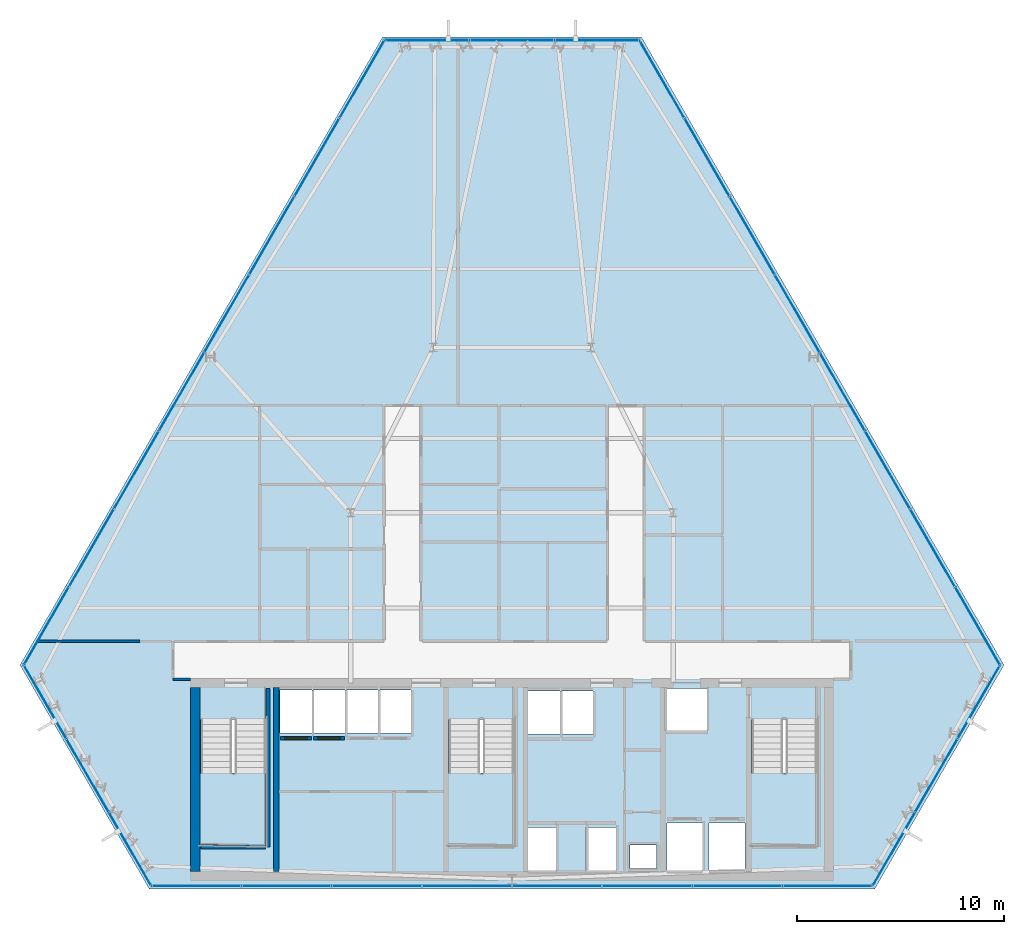
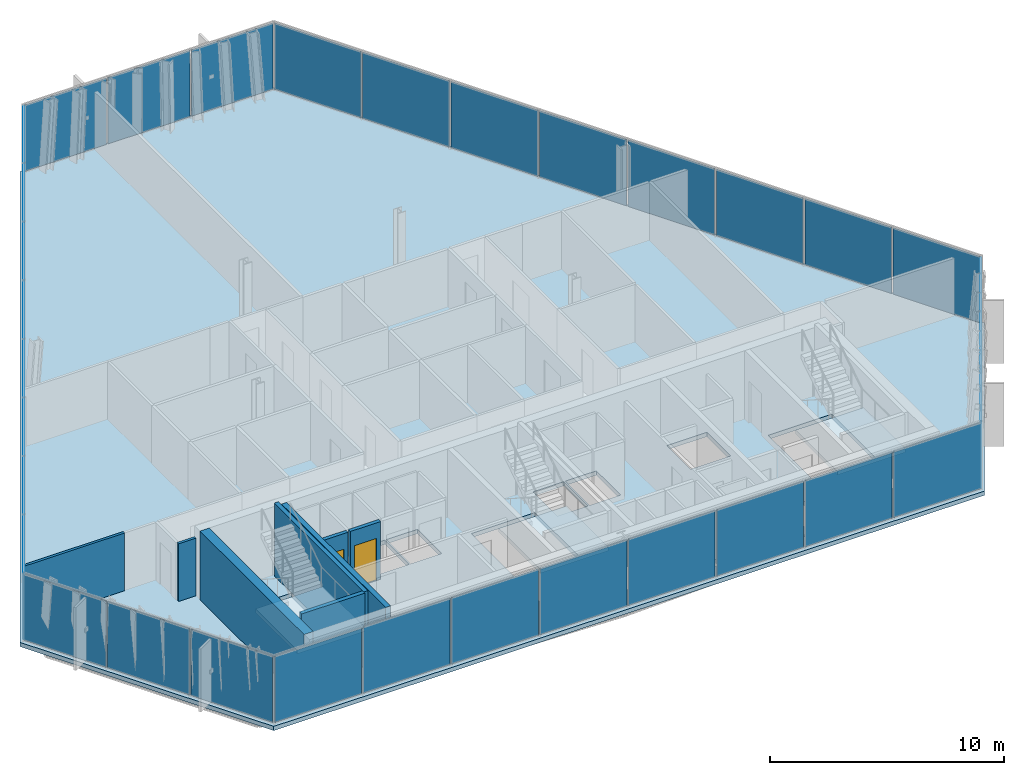
# One storey, part 24 of 32: 33 plates, 8 walls, 4 slabs, 2 doors, 2 openings, 9 elements without a shape of their own.
"""IFC4 building model written with IfcOpenShell, lengths in metres."""

import ifcopenshell
import ifcopenshell.guid

model = None  # the IFC model being written
_history = None  # IfcOwnerHistory: only IFC2X3 demands one
_inside = {}  # id of a spatial element -> (the spatial element, [elements in it])
_under = {}  # id of a project, library or spatial element -> (it, [spatial elements below it])
_declared = {}  # id of a project -> (the project, [libraries it declares])
_typed = {}  # id of a type object -> (the type object, [elements of that type])
_made_of = {}  # id of a material, layer set ... -> (it, [elements and type objects made of it])


def new_model(schema):
    """Start an empty IFC model of exactly this schema.

    Asked for "IFC4X3", IfcOpenShell would pick the latest addendum, in which some entities
    have other attributes; the version numbers below select the first issue.
    IFC2X3 requires an IfcOwnerHistory on every rooted entity: one is made here for all.
    """
    global model, _history
    if schema == "IFC4X3":
        model = ifcopenshell.file(schema_version=(4, 3, 0, 0))
    else:
        model = ifcopenshell.file(schema=schema)
    _inside.clear()
    _under.clear()
    _declared.clear()
    _typed.clear()
    _made_of.clear()
    _history = None
    if model.schema == "IFC2X3":
        org = make("IfcOrganization", Name="unknown")
        user = make(
            "IfcPersonAndOrganization",
            ThePerson=make("IfcPerson", FamilyName="unknown"),
            TheOrganization=org,
        )
        app = make(
            "IfcApplication",
            ApplicationDeveloper=org,
            Version="unknown",
            ApplicationFullName="unknown",
            ApplicationIdentifier="unknown",
        )
        _history = make(
            "IfcOwnerHistory",
            OwningUser=user,
            OwningApplication=app,
            ChangeAction="ADDED",
            CreationDate=0,
        )
    return model


def make(cls, **values):
    """One entity of the class cls with the attributes given. An attribute that is None is left unset."""
    return model.create_entity(
        cls, **{name: value for name, value in values.items() if value is not None}
    )


def rooted(cls, **values):
    """An entity with a GlobalId (a new one), such as an element, a storey or a relation."""
    return make(cls, GlobalId=ifcopenshell.guid.new(), OwnerHistory=_history, **values)


def si_unit(unit_type, name, prefix=None):
    """IfcSIUnit, for example si_unit("LENGTHUNIT", "METRE", prefix="MILLI")."""
    return make("IfcSIUnit", UnitType=unit_type, Prefix=prefix, Name=name)


def assignment(units):
    """IfcUnitAssignment: the units of a project."""
    return None if units is None else make("IfcUnitAssignment", Units=units)


def point(xyz):
    """IfcCartesianPoint."""
    return None if xyz is None else make("IfcCartesianPoint", Coordinates=xyz)


def direction(xyz):
    """IfcDirection."""
    return None if xyz is None else make("IfcDirection", DirectionRatios=xyz)


def frame(location, z_axis=None, x_axis=None):
    """IfcAxis2Placement3D, a coordinate frame: its origin and axes. An axis left out is left unset."""
    return make(
        "IfcAxis2Placement3D",
        Location=point(location),
        Axis=direction(z_axis),
        RefDirection=direction(x_axis),
    )


def frame_2d(location, x_axis=None):
    """IfcAxis2Placement2D, a coordinate frame in the plane: its origin and x axis."""
    return make(
        "IfcAxis2Placement2D", Location=point(location), RefDirection=direction(x_axis)
    )


def origin():
    """The frame at (0, 0, 0) with its axes left unset."""
    return frame((0.0, 0.0, 0.0))


def origin_2d():
    """The frame at (0, 0) in the plane with its x axis left unset."""
    return frame_2d((0.0, 0.0))


def place(relative_to, where):
    """IfcLocalPlacement: puts the frame where relative to a parent placement (None: the world)."""
    return make(
        "IfcLocalPlacement", PlacementRelTo=relative_to, RelativePlacement=where
    )


def context(
    kind, dimensions, precision=None, world=None, true_north=None, identifier=None
):
    """IfcGeometricRepresentationContext, for example the 3D "Model" context."""
    return make(
        "IfcGeometricRepresentationContext",
        ContextIdentifier=identifier,
        ContextType=kind,
        CoordinateSpaceDimension=dimensions,
        Precision=precision,
        WorldCoordinateSystem=world,
        TrueNorth=true_north,
    )


def subcontext(parent, identifier, kind, view, scale=None):
    """IfcGeometricRepresentationSubContext, for example "Body" below "Model"."""
    return make(
        "IfcGeometricRepresentationSubContext",
        ContextIdentifier=identifier,
        ContextType=kind,
        ParentContext=parent,
        TargetScale=scale,
        TargetView=view,
    )


def project(units=None, contexts=None):
    """IfcProject with its units and contexts."""
    return rooted(
        "IfcProject",
        Name="project",
        RepresentationContexts=contexts,
        UnitsInContext=assignment(units),
    )


def spatial(cls, under=None, at=None, **own):
    """A site, building, storey or space (cls), placed at a placement, below another one or the project."""
    s = rooted(cls, ObjectPlacement=at, **own)
    if under is not None:
        _under.setdefault(under.id(), (under, []))[1].append(s)
    return s


def polyline(points):
    """IfcPolyline through the points."""
    return make("IfcPolyline", Points=[point(p) for p in points])


def profile(cls, at=None, kind="AREA", **sizes):
    """A parametric profile (cls). Its sizes go by their IFC names, for example OverallWidth=200.0."""
    return make(cls, ProfileType=kind, Position=at, **sizes)


def rectangle(**sizes):
    """IfcRectangleProfileDef."""
    return profile("IfcRectangleProfileDef", **sizes)


def outline(outer, holes=None, kind="AREA"):
    """IfcArbitraryClosedProfileDef: a profile drawn as a closed curve; with holes, ...WithVoids."""
    if holes is None:
        return make("IfcArbitraryClosedProfileDef", ProfileType=kind, OuterCurve=outer)
    return make(
        "IfcArbitraryProfileDefWithVoids",
        ProfileType=kind,
        OuterCurve=outer,
        InnerCurves=holes,
    )


def extrude(swept, where, along, depth):
    """IfcExtrudedAreaSolid: the profile swept, set in the frame where, extruded along a direction by depth."""
    return make(
        "IfcExtrudedAreaSolid",
        SweptArea=swept,
        Position=where,
        ExtrudedDirection=direction(along),
        Depth=depth,
    )


def shape(context_of_items, identifier, shape_type, items):
    """IfcShapeRepresentation: the items that make up one representation, for example the "Body"."""
    return make(
        "IfcShapeRepresentation",
        ContextOfItems=context_of_items,
        RepresentationIdentifier=identifier,
        RepresentationType=shape_type,
        Items=items,
    )


def material(Name=None, Category=None):
    """IfcMaterial."""
    return make("IfcMaterial", Name=Name, Category=Category)


def layer(
    of_material, thickness, ventilated=None, Name=None, Category=None, Priority=None
):
    """IfcMaterialLayer: one layer of a wall or slab, of a material (None: an air gap)."""
    return make(
        "IfcMaterialLayer",
        Material=of_material,
        LayerThickness=thickness,
        IsVentilated=ventilated,
        Name=Name,
        Category=Category,
        Priority=Priority,
    )


def layer_set(layers, Name=None):
    """IfcMaterialLayerSet."""
    return make("IfcMaterialLayerSet", MaterialLayers=layers, LayerSetName=Name)


def made_of(thing, what):
    """Note that an element or type object is made of a material, layer set ...; save() writes the relation."""
    if what is not None:
        _made_of.setdefault(what.id(), (what, []))[1].append(thing)
    return thing


def type_object(cls, material=None, **own):
    """A type object (cls), such as IfcWallType, which elements share."""
    return made_of(rooted(cls, **own), material)


def element(
    cls,
    number,
    at=None,
    inside=None,
    cuts=None,
    type_object=None,
    material=None,
    context=None,
    identifier="Body",
    shape_type=None,
    held_by="IfcProductDefinitionShape",
    body=None,
    shapes=None,
    **own,
):
    """One element of the class cls, such as IfcWall. Its Tag is "e" and its number.

    at: its placement. inside: the storey or other place that contains it. cuts: it is an
    opening in that element (IfcRelVoidsElement). A single representation is given by context,
    identifier, shape_type and body (its items); several are given by shapes. held_by: the class
    of the entity that holds the representations. save() writes the other relations.
    """
    e = rooted(cls, Tag="e%d" % number, ObjectPlacement=at, **own)
    if body is not None:
        shapes = [shape(context, identifier, shape_type, body)]
    if shapes is not None:
        e.Representation = make(held_by, Representations=shapes)
    if inside is not None:
        _inside.setdefault(inside.id(), (inside, []))[1].append(e)
    if cuts is not None:
        rooted(
            "IfcRelVoidsElement", RelatingBuildingElement=cuts, RelatedOpeningElement=e
        )
    if type_object is not None:
        _typed.setdefault(type_object.id(), (type_object, []))[1].append(e)
    return made_of(e, material)


def fill(opening, filler):
    """IfcRelFillsElement: the door or window that sits in an opening."""
    return rooted(
        "IfcRelFillsElement",
        RelatingOpeningElement=opening,
        RelatedBuildingElement=filler,
    )


def aggregate(whole, parts):
    """IfcRelAggregates: a whole, such as a stair, and the parts it consists of."""
    return rooted("IfcRelAggregates", RelatingObject=whole, RelatedObjects=parts)


def save(model, path):
    """Write the relations noted so far, then the file.

    IfcRelAggregates (storeys below a building ...), IfcRelContainedInSpatialStructure (elements
    in a storey), IfcRelDefinesByType, IfcRelAssociatesMaterial and IfcRelDeclares: one each for
    every whole, place, type object, material and project.
    """
    for whole, parts in _under.values():
        aggregate(whole, parts)
    for where, things in _inside.values():
        rooted(
            "IfcRelContainedInSpatialStructure",
            RelatedElements=things,
            RelatingStructure=where,
        )
    for kind, things in _typed.values():
        rooted("IfcRelDefinesByType", RelatedObjects=things, RelatingType=kind)
    for what, things in _made_of.values():
        rooted("IfcRelAssociatesMaterial", RelatedObjects=things, RelatingMaterial=what)
    for by, libraries in _declared.values():
        rooted("IfcRelDeclares", RelatingContext=by, RelatedDefinitions=libraries)
    model.write(path)


model = new_model("IFC4")

# Units and contexts
model_context = context("Model", 3, precision=1e-05, world=origin(), true_north=direction((0.0, 1.0)))
body_context = subcontext(model_context, "Body", "Model", "MODEL_VIEW")
ifc_project = project(units=[si_unit("LENGTHUNIT", "METRE"), si_unit("AREAUNIT", "SQUARE_METRE"), si_unit("VOLUMEUNIT", "CUBIC_METRE"), si_unit("PLANEANGLEUNIT", "RADIAN"), si_unit("MASSUNIT", "GRAM", prefix="KILO")], contexts=[model_context])

# Site, building, storey
site_placement = place(None, origin())
site = spatial("IfcSite", under=ifc_project, at=site_placement, CompositionType="ELEMENT")
building_placement = place(site_placement, origin())
building = spatial("IfcBuilding", under=site, at=building_placement, Name="Ndaravel Arena Tower", CompositionType="ELEMENT")
storey_placement = place(building_placement, frame((0.0, 0.0, 134.60009765625)))
storey = spatial("IfcBuildingStorey", under=building, at=storey_placement, Name="L31", CompositionType="ELEMENT", Elevation=134.60009765625)

# Curtain wall, plate
ifc_material_1 = material(Name="Aluminium", Category="aluminium")
ifc_layer_1 = layer(ifc_material_1, 0.179931640625)
ifc_layer_set_1 = layer_set([ifc_layer_1], Name="Aluminium")
curtain_wall_type_1 = type_object("IfcCurtainWallType", Name="CW-SYS-01", PredefinedType="NOTDEFINED", material=ifc_layer_set_1)
curtain_wall_1_placement = place(storey_placement, origin())
curtain_wall_1 = element("IfcCurtainWall", 1, at=curtain_wall_1_placement, inside=storey, type_object=curtain_wall_type_1, Name="L31 Faceted Crystal Curtain Wall CW-L31-E02", PredefinedType="NOTDEFINED")
ifc_material_2 = material(Name="Glazing", Category="glass")
ifc_layer_2 = layer(ifc_material_2, 0.035888671875)
ifc_layer_set_2 = layer_set([ifc_layer_2], Name="Glazing")
plate_type_1 = type_object("IfcPlateType", Name="PLT-CW-OPVENT", PredefinedType="CURTAIN_PANEL", material=ifc_layer_set_2)
plate_1_placement = place(storey_placement, frame((62.528076171875, 10.50048828125, 0.059814453125), z_axis=(0.0, 0.0, 1.0), x_axis=(0.5, 0.866025403784, 0.0)))
plate_1 = element("IfcPlate", 2, at=plate_1_placement, type_object=plate_type_1, Name="CW-L31-E02 Operable Vent Sash Panel 02", PredefinedType="CURTAIN_PANEL", context=body_context, shape_type="SweptSolid", body=[
    extrude(rectangle(XDim=4.03125, YDim=0.035888671875, at=origin_2d()), origin(), (0.0, 0.0, 1.0), 3.4599609375),
])

curtain_wall_2_placement = place(storey_placement, origin())
curtain_wall_2 = element("IfcCurtainWall", 3, at=curtain_wall_2_placement, inside=storey, type_object=curtain_wall_type_1, Name="L31 Faceted Crystal Curtain Wall CW-L31-E04", PredefinedType="NOTDEFINED")
plate_2_placement = place(storey_placement, frame((42.0, 46.05615234375, 0.059814453125), z_axis=(0.0, 0.0, 1.0), x_axis=(-1.0, 0.0, 0.0)))
plate_2 = element("IfcPlate", 4, at=plate_2_placement, type_object=plate_type_1, Name="CW-L31-E04 Operable Vent Sash Panel 02", PredefinedType="CURTAIN_PANEL", context=body_context, shape_type="SweptSolid", body=[
    extrude(rectangle(XDim=4.031005859375, YDim=0.035888671875, at=origin_2d()), origin(), (0.0, 0.0, 1.0), 3.4599609375),
])

ifc_material_3 = material(Name="Aluminium", Category="aluminium")
ifc_layer_3 = layer(ifc_material_3, 0.179931640625)
ifc_layer_set_3 = layer_set([ifc_layer_3], Name="Aluminium")
curtain_wall_type_2 = type_object("IfcCurtainWallType", Name="CW-SYS-02", PredefinedType="NOTDEFINED", material=ifc_layer_set_3)
curtain_wall_3_placement = place(storey_placement, origin())
curtain_wall_3 = element("IfcCurtainWall", 5, at=curtain_wall_3_placement, inside=storey, type_object=curtain_wall_type_2, Name="L31 Faceted Crystal Curtain Wall CW-L31-E06", PredefinedType="NOTDEFINED")
plate_3_placement = place(storey_placement, frame((21.471923828125, 10.50048828125, 0.059814453125), z_axis=(0.0, 0.0, 1.0), x_axis=(0.5, -0.866025403784, 0.0)))
plate_3 = element("IfcPlate", 6, at=plate_3_placement, type_object=plate_type_1, Name="CW-L31-E06 Operable Vent Sash Panel 02", PredefinedType="CURTAIN_PANEL", context=body_context, shape_type="SweptSolid", body=[
    extrude(rectangle(XDim=4.03125, YDim=0.035888671875, at=origin_2d()), origin(), (0.0, 0.0, 1.0), 3.4599609375),
])

# Plate
ifc_material_4 = material(Name="Glazing", Category="glass")
ifc_layer_4 = layer(ifc_material_4, 0.031982421875)
ifc_layer_set_4 = layer_set([ifc_layer_4], Name="Glazing")
plate_type_2 = type_object("IfcPlateType", Name="PLT-GLZ-FRIT35", PredefinedType="CURTAIN_PANEL", material=ifc_layer_set_4)
plate_4_placement = place(storey_placement, frame((60.472412109375, 6.940185546875, 0.059814453125), z_axis=(0.0, 0.0, 1.0), x_axis=(0.5, 0.866025403784, 0.0)))
plate_4 = element("IfcPlate", 7, at=plate_4_placement, type_object=plate_type_2, Name="CW-L31-E02 Vision Glass Panel 01", PredefinedType="CURTAIN_PANEL", context=body_context, shape_type="SweptSolid", body=[
    extrude(rectangle(XDim=4.03125, YDim=0.035888671875, at=origin_2d()), origin(), (0.0, 0.0, 1.0), 3.4599609375),
])

plate_5_placement = place(storey_placement, frame((64.58349609375, 14.060791015625, 0.059814453125), z_axis=(0.0, 0.0, 1.0), x_axis=(0.5, 0.866025403784, 0.0)))
plate_5 = element("IfcPlate", 8, at=plate_5_placement, type_object=plate_type_2, Name="CW-L31-E02 Vision Glass Panel 03", PredefinedType="CURTAIN_PANEL", context=body_context, shape_type="SweptSolid", body=[
    extrude(rectangle(XDim=4.03125, YDim=0.035888671875, at=origin_2d()), origin(), (0.0, 0.0, 1.0), 3.4599609375),
])

aggregate(curtain_wall_1, [plate_4, plate_1, plate_5])

plate_6_placement = place(storey_placement, frame((46.111083984375, 46.05615234375, 0.059814453125), z_axis=(0.0, 0.0, 1.0), x_axis=(-1.0, 0.0, 0.0)))
plate_6 = element("IfcPlate", 9, at=plate_6_placement, type_object=plate_type_2, Name="CW-L31-E04 Vision Glass Panel 01", PredefinedType="CURTAIN_PANEL", context=body_context, shape_type="SweptSolid", body=[
    extrude(rectangle(XDim=4.031005859375, YDim=0.035888671875, at=origin_2d()), origin(), (0.0, 0.0, 1.0), 3.4599609375),
])

plate_7_placement = place(storey_placement, frame((37.888916015625, 46.05615234375, 0.059814453125), z_axis=(0.0, 0.0, 1.0), x_axis=(-1.0, 0.0, 0.0)))
plate_7 = element("IfcPlate", 10, at=plate_7_placement, type_object=plate_type_2, Name="CW-L31-E04 Vision Glass Panel 03", PredefinedType="CURTAIN_PANEL", context=body_context, shape_type="SweptSolid", body=[
    extrude(rectangle(XDim=4.031005859375, YDim=0.035888671875, at=origin_2d()), origin(), (0.0, 0.0, 1.0), 3.4599609375),
])

aggregate(curtain_wall_2, [plate_6, plate_2, plate_7])

ifc_material_5 = material(Name="Glazing", Category="glass")
ifc_layer_5 = layer(ifc_material_5, 0.035888671875)
ifc_layer_set_5 = layer_set([ifc_layer_5], Name="Glazing")
plate_type_3 = type_object("IfcPlateType", Name="PLT-GLZ-FRIT55", PredefinedType="CURTAIN_PANEL", material=ifc_layer_set_5)
plate_8_placement = place(storey_placement, frame((19.41650390625, 14.060791015625, 0.059814453125), z_axis=(0.0, 0.0, 1.0), x_axis=(0.5, -0.866025403784, 0.0)))
plate_8 = element("IfcPlate", 11, at=plate_8_placement, type_object=plate_type_3, Name="CW-L31-E06 Vision Glass Panel 01", PredefinedType="CURTAIN_PANEL", context=body_context, shape_type="SweptSolid", body=[
    extrude(rectangle(XDim=4.03125, YDim=0.035888671875, at=origin_2d()), origin(), (0.0, 0.0, 1.0), 3.4599609375),
])

plate_9_placement = place(storey_placement, frame((23.527587890625, 6.940185546875, 0.059814453125), z_axis=(0.0, 0.0, 1.0), x_axis=(0.5, -0.866025403784, 0.0)))
plate_9 = element("IfcPlate", 12, at=plate_9_placement, type_object=plate_type_3, Name="CW-L31-E06 Vision Glass Panel 03", PredefinedType="CURTAIN_PANEL", context=body_context, shape_type="SweptSolid", body=[
    extrude(rectangle(XDim=4.03125, YDim=0.035888671875, at=origin_2d()), origin(), (0.0, 0.0, 1.0), 3.4599609375),
])

aggregate(curtain_wall_3, [plate_8, plate_3, plate_9])

# Curtain wall, plates
ifc_material_6 = material(Name="Aluminium", Category="aluminium")
ifc_layer_6 = layer(ifc_material_6, 0.179931640625)
ifc_layer_set_6 = layer_set([ifc_layer_6], Name="Aluminium")
curtain_wall_type_3 = type_object("IfcCurtainWallType", Name="CW-SYS-03", PredefinedType="NOTDEFINED", material=ifc_layer_set_6)
curtain_wall_4_placement = place(storey_placement, origin())
curtain_wall_4 = element("IfcCurtainWall", 13, at=curtain_wall_4_placement, inside=storey, type_object=curtain_wall_type_3, Name="L31 Faceted Crystal Curtain Wall CW-L31-E01", PredefinedType="NOTDEFINED")
ifc_material_7 = material(Name="Glazing", Category="glass")
ifc_layer_7 = layer(ifc_material_7, 0.0400390625)
ifc_layer_set_7 = layer_set([ifc_layer_7], Name="Glazing")
plate_type_4 = type_object("IfcPlateType", Name="PLT-GLZ-LOWIRON", PredefinedType="CURTAIN_PANEL", material=ifc_layer_set_7)
plate_10_placement = place(storey_placement, frame((26.736083984375, 5.159912109375, 0.059814453125), z_axis=(0.0, 0.0, 1.0), x_axis=(1.0, 0.0, 0.0)))
plate_10 = element("IfcPlate", 14, at=plate_10_placement, type_object=plate_type_4, Name="CW-L31-E01 Vision Glass Panel 01", PredefinedType="CURTAIN_PANEL", context=body_context, shape_type="SweptSolid", body=[
    extrude(rectangle(XDim=4.28125, YDim=0.035888671875, at=origin_2d()), origin(), (0.0, 0.0, 1.0), 3.4599609375),
])
plate_11_placement = place(storey_placement, frame((31.09716796875, 5.159912109375, 0.059814453125), z_axis=(0.0, 0.0, 1.0), x_axis=(1.0, 0.0, 0.0)))
plate_11 = element("IfcPlate", 15, at=plate_11_placement, type_object=plate_type_4, Name="CW-L31-E01 Vision Glass Panel 02", PredefinedType="CURTAIN_PANEL", context=body_context, shape_type="SweptSolid", body=[
    extrude(rectangle(XDim=4.28125, YDim=0.035888671875, at=origin_2d()), origin(), (0.0, 0.0, 1.0), 3.4599609375),
])
plate_12_placement = place(storey_placement, frame((35.458251953125, 5.159912109375, 0.059814453125), z_axis=(0.0, 0.0, 1.0), x_axis=(1.0, 0.0, 0.0)))
plate_12 = element("IfcPlate", 16, at=plate_12_placement, type_object=plate_type_4, Name="CW-L31-E01 Vision Glass Panel 03", PredefinedType="CURTAIN_PANEL", context=body_context, shape_type="SweptSolid", body=[
    extrude(rectangle(XDim=4.28125, YDim=0.035888671875, at=origin_2d()), origin(), (0.0, 0.0, 1.0), 3.4599609375),
])
plate_13_placement = place(storey_placement, frame((39.8193359375, 5.159912109375, 0.059814453125), z_axis=(0.0, 0.0, 1.0), x_axis=(1.0, 0.0, 0.0)))
plate_13 = element("IfcPlate", 17, at=plate_13_placement, type_object=plate_type_4, Name="CW-L31-E01 Vision Glass Panel 04", PredefinedType="CURTAIN_PANEL", context=body_context, shape_type="SweptSolid", body=[
    extrude(rectangle(XDim=4.28125, YDim=0.035888671875, at=origin_2d()), origin(), (0.0, 0.0, 1.0), 3.4599609375),
])
plate_14_placement = place(storey_placement, frame((44.1806640625, 5.159912109375, 0.059814453125), z_axis=(0.0, 0.0, 1.0), x_axis=(1.0, 0.0, 0.0)))
plate_14 = element("IfcPlate", 18, at=plate_14_placement, type_object=plate_type_4, Name="CW-L31-E01 Vision Glass Panel 05", PredefinedType="CURTAIN_PANEL", context=body_context, shape_type="SweptSolid", body=[
    extrude(rectangle(XDim=4.28125, YDim=0.035888671875, at=origin_2d()), origin(), (0.0, 0.0, 1.0), 3.4599609375),
])
plate_15_placement = place(storey_placement, frame((48.541748046875, 5.159912109375, 0.059814453125), z_axis=(0.0, 0.0, 1.0), x_axis=(1.0, 0.0, 0.0)))
plate_15 = element("IfcPlate", 19, at=plate_15_placement, type_object=plate_type_4, Name="CW-L31-E01 Vision Glass Panel 06", PredefinedType="CURTAIN_PANEL", context=body_context, shape_type="SweptSolid", body=[
    extrude(rectangle(XDim=4.28125, YDim=0.035888671875, at=origin_2d()), origin(), (0.0, 0.0, 1.0), 3.4599609375),
])
plate_16_placement = place(storey_placement, frame((52.90283203125, 5.159912109375, 0.059814453125), z_axis=(0.0, 0.0, 1.0), x_axis=(1.0, 0.0, 0.0)))
plate_16 = element("IfcPlate", 20, at=plate_16_placement, type_object=plate_type_4, Name="CW-L31-E01 Vision Glass Panel 07", PredefinedType="CURTAIN_PANEL", context=body_context, shape_type="SweptSolid", body=[
    extrude(rectangle(XDim=4.28125, YDim=0.035888671875, at=origin_2d()), origin(), (0.0, 0.0, 1.0), 3.4599609375),
])
plate_17_placement = place(storey_placement, frame((57.263916015625, 5.159912109375, 0.059814453125), z_axis=(0.0, 0.0, 1.0), x_axis=(1.0, 0.0, 0.0)))
plate_17 = element("IfcPlate", 21, at=plate_17_placement, type_object=plate_type_4, Name="CW-L31-E01 Vision Glass Panel 08", PredefinedType="CURTAIN_PANEL", context=body_context, shape_type="SweptSolid", body=[
    extrude(rectangle(XDim=4.28125, YDim=0.035888671875, at=origin_2d()), origin(), (0.0, 0.0, 1.0), 3.4599609375),
])
aggregate(curtain_wall_4, [plate_10, plate_11, plate_12, plate_13, plate_14, plate_15, plate_16, plate_17])

curtain_wall_5_placement = place(storey_placement, origin())
curtain_wall_5 = element("IfcCurtainWall", 22, at=curtain_wall_5_placement, inside=storey, type_object=curtain_wall_type_3, Name="L31 Faceted Crystal Curtain Wall CW-L31-E03", PredefinedType="NOTDEFINED")
plate_18_placement = place(storey_placement, frame((64.52099609375, 17.7294921875, 0.059814453125), z_axis=(0.0, 0.0, 1.0), x_axis=(-0.5, 0.866025403784, 0.0)))
plate_18 = element("IfcPlate", 23, at=plate_18_placement, type_object=plate_type_4, Name="CW-L31-E03 Vision Glass Panel 01", PredefinedType="CURTAIN_PANEL", context=body_context, shape_type="SweptSolid", body=[
    extrude(rectangle(XDim=4.28125, YDim=0.035888671875, at=origin_2d()), origin(), (0.0, 0.0, 1.0), 3.4599609375),
])
plate_19_placement = place(storey_placement, frame((62.34033203125, 21.50634765625, 0.059814453125), z_axis=(0.0, 0.0, 1.0), x_axis=(-0.5, 0.866025403784, 0.0)))
plate_19 = element("IfcPlate", 24, at=plate_19_placement, type_object=plate_type_4, Name="CW-L31-E03 Vision Glass Panel 02", PredefinedType="CURTAIN_PANEL", context=body_context, shape_type="SweptSolid", body=[
    extrude(rectangle(XDim=4.28125, YDim=0.035888671875, at=origin_2d()), origin(), (0.0, 0.0, 1.0), 3.4599609375),
])
plate_20_placement = place(storey_placement, frame((60.159912109375, 25.283203125, 0.059814453125), z_axis=(0.0, 0.0, 1.0), x_axis=(-0.5, 0.866025403784, 0.0)))
plate_20 = element("IfcPlate", 25, at=plate_20_placement, type_object=plate_type_4, Name="CW-L31-E03 Vision Glass Panel 03", PredefinedType="CURTAIN_PANEL", context=body_context, shape_type="SweptSolid", body=[
    extrude(rectangle(XDim=4.28125, YDim=0.035888671875, at=origin_2d()), origin(), (0.0, 0.0, 1.0), 3.4599609375),
])
plate_21_placement = place(storey_placement, frame((57.979248046875, 29.060302734375, 0.059814453125), z_axis=(0.0, 0.0, 1.0), x_axis=(-0.5, 0.866025403784, 0.0)))
plate_21 = element("IfcPlate", 26, at=plate_21_placement, type_object=plate_type_4, Name="CW-L31-E03 Vision Glass Panel 04", PredefinedType="CURTAIN_PANEL", context=body_context, shape_type="SweptSolid", body=[
    extrude(rectangle(XDim=4.28125, YDim=0.035888671875, at=origin_2d()), origin(), (0.0, 0.0, 1.0), 3.4599609375),
])
plate_22_placement = place(storey_placement, frame((55.798583984375, 32.8369140625, 0.059814453125), z_axis=(0.0, 0.0, 1.0), x_axis=(-0.5, 0.866025403784, 0.0)))
plate_22 = element("IfcPlate", 27, at=plate_22_placement, type_object=plate_type_4, Name="CW-L31-E03 Vision Glass Panel 05", PredefinedType="CURTAIN_PANEL", context=body_context, shape_type="SweptSolid", body=[
    extrude(rectangle(XDim=4.28125, YDim=0.035888671875, at=origin_2d()), origin(), (0.0, 0.0, 1.0), 3.4599609375),
])
plate_23_placement = place(storey_placement, frame((53.6181640625, 36.614013671875, 0.059814453125), z_axis=(0.0, 0.0, 1.0), x_axis=(-0.5, 0.866025403784, 0.0)))
plate_23 = element("IfcPlate", 28, at=plate_23_placement, type_object=plate_type_4, Name="CW-L31-E03 Vision Glass Panel 06", PredefinedType="CURTAIN_PANEL", context=body_context, shape_type="SweptSolid", body=[
    extrude(rectangle(XDim=4.28125, YDim=0.035888671875, at=origin_2d()), origin(), (0.0, 0.0, 1.0), 3.4599609375),
])
plate_24_placement = place(storey_placement, frame((51.4375, 40.390869140625, 0.059814453125), z_axis=(0.0, 0.0, 1.0), x_axis=(-0.5, 0.866025403784, 0.0)))
plate_24 = element("IfcPlate", 29, at=plate_24_placement, type_object=plate_type_4, Name="CW-L31-E03 Vision Glass Panel 07", PredefinedType="CURTAIN_PANEL", context=body_context, shape_type="SweptSolid", body=[
    extrude(rectangle(XDim=4.28125, YDim=0.035888671875, at=origin_2d()), origin(), (0.0, 0.0, 1.0), 3.4599609375),
])
plate_25_placement = place(storey_placement, frame((49.257080078125, 44.167724609375, 0.059814453125), z_axis=(0.0, 0.0, 1.0), x_axis=(-0.5, 0.866025403784, 0.0)))
plate_25 = element("IfcPlate", 30, at=plate_25_placement, type_object=plate_type_4, Name="CW-L31-E03 Vision Glass Panel 08", PredefinedType="CURTAIN_PANEL", context=body_context, shape_type="SweptSolid", body=[
    extrude(rectangle(XDim=4.28125, YDim=0.035888671875, at=origin_2d()), origin(), (0.0, 0.0, 1.0), 3.4599609375),
])
aggregate(curtain_wall_5, [plate_18, plate_19, plate_20, plate_21, plate_22, plate_23, plate_24, plate_25])

curtain_wall_6_placement = place(storey_placement, origin())
curtain_wall_6 = element("IfcCurtainWall", 31, at=curtain_wall_6_placement, inside=storey, type_object=curtain_wall_type_3, Name="L31 Faceted Crystal Curtain Wall CW-L31-E05", PredefinedType="NOTDEFINED")
plate_26_placement = place(storey_placement, frame((34.742919921875, 44.167724609375, 0.059814453125), z_axis=(0.0, 0.0, 1.0), x_axis=(-0.5, -0.866025403784, 0.0)))
plate_26 = element("IfcPlate", 32, at=plate_26_placement, type_object=plate_type_4, Name="CW-L31-E05 Vision Glass Panel 01", PredefinedType="CURTAIN_PANEL", context=body_context, shape_type="SweptSolid", body=[
    extrude(rectangle(XDim=4.28125, YDim=0.035888671875, at=origin_2d()), origin(), (0.0, 0.0, 1.0), 3.4599609375),
])
plate_27_placement = place(storey_placement, frame((32.5625, 40.390869140625, 0.059814453125), z_axis=(0.0, 0.0, 1.0), x_axis=(-0.5, -0.866025403784, 0.0)))
plate_27 = element("IfcPlate", 33, at=plate_27_placement, type_object=plate_type_4, Name="CW-L31-E05 Vision Glass Panel 02", PredefinedType="CURTAIN_PANEL", context=body_context, shape_type="SweptSolid", body=[
    extrude(rectangle(XDim=4.28125, YDim=0.035888671875, at=origin_2d()), origin(), (0.0, 0.0, 1.0), 3.4599609375),
])
plate_28_placement = place(storey_placement, frame((30.3818359375, 36.614013671875, 0.059814453125), z_axis=(0.0, 0.0, 1.0), x_axis=(-0.5, -0.866025403784, 0.0)))
plate_28 = element("IfcPlate", 34, at=plate_28_placement, type_object=plate_type_4, Name="CW-L31-E05 Vision Glass Panel 03", PredefinedType="CURTAIN_PANEL", context=body_context, shape_type="SweptSolid", body=[
    extrude(rectangle(XDim=4.28125, YDim=0.035888671875, at=origin_2d()), origin(), (0.0, 0.0, 1.0), 3.4599609375),
])
plate_29_placement = place(storey_placement, frame((28.201416015625, 32.8369140625, 0.059814453125), z_axis=(0.0, 0.0, 1.0), x_axis=(-0.5, -0.866025403784, 0.0)))
plate_29 = element("IfcPlate", 35, at=plate_29_placement, type_object=plate_type_4, Name="CW-L31-E05 Vision Glass Panel 04", PredefinedType="CURTAIN_PANEL", context=body_context, shape_type="SweptSolid", body=[
    extrude(rectangle(XDim=4.28125, YDim=0.035888671875, at=origin_2d()), origin(), (0.0, 0.0, 1.0), 3.4599609375),
])
plate_30_placement = place(storey_placement, frame((26.020751953125, 29.060302734375, 0.059814453125), z_axis=(0.0, 0.0, 1.0), x_axis=(-0.5, -0.866025403784, 0.0)))
plate_30 = element("IfcPlate", 36, at=plate_30_placement, type_object=plate_type_4, Name="CW-L31-E05 Vision Glass Panel 05", PredefinedType="CURTAIN_PANEL", context=body_context, shape_type="SweptSolid", body=[
    extrude(rectangle(XDim=4.28125, YDim=0.035888671875, at=origin_2d()), origin(), (0.0, 0.0, 1.0), 3.4599609375),
])
plate_31_placement = place(storey_placement, frame((23.840087890625, 25.283203125, 0.059814453125), z_axis=(0.0, 0.0, 1.0), x_axis=(-0.5, -0.866025403784, 0.0)))
plate_31 = element("IfcPlate", 37, at=plate_31_placement, type_object=plate_type_4, Name="CW-L31-E05 Vision Glass Panel 06", PredefinedType="CURTAIN_PANEL", context=body_context, shape_type="SweptSolid", body=[
    extrude(rectangle(XDim=4.28125, YDim=0.035888671875, at=origin_2d()), origin(), (0.0, 0.0, 1.0), 3.4599609375),
])
plate_32_placement = place(storey_placement, frame((21.65966796875, 21.50634765625, 0.059814453125), z_axis=(0.0, 0.0, 1.0), x_axis=(-0.5, -0.866025403784, 0.0)))
plate_32 = element("IfcPlate", 38, at=plate_32_placement, type_object=plate_type_4, Name="CW-L31-E05 Vision Glass Panel 07", PredefinedType="CURTAIN_PANEL", context=body_context, shape_type="SweptSolid", body=[
    extrude(rectangle(XDim=4.28125, YDim=0.035888671875, at=origin_2d()), origin(), (0.0, 0.0, 1.0), 3.4599609375),
])
plate_33_placement = place(storey_placement, frame((19.47900390625, 17.7294921875, 0.059814453125), z_axis=(0.0, 0.0, 1.0), x_axis=(-0.5, -0.866025403784, 0.0)))
plate_33 = element("IfcPlate", 39, at=plate_33_placement, type_object=plate_type_4, Name="CW-L31-E05 Vision Glass Panel 08", PredefinedType="CURTAIN_PANEL", context=body_context, shape_type="SweptSolid", body=[
    extrude(rectangle(XDim=4.28125, YDim=0.035888671875, at=origin_2d()), origin(), (0.0, 0.0, 1.0), 3.4599609375),
])
aggregate(curtain_wall_6, [plate_26, plate_27, plate_28, plate_29, plate_30, plate_31, plate_32, plate_33])

# Stair, slab
ifc_material_8 = material(Name="Concrete C40/50", Category="concrete")
stair_type = type_object("IfcStairType", Name="STAIR-CORE-HT", PredefinedType="HALF_TURN_STAIR", material=ifc_material_8)
stair_1_placement = place(storey_placement, origin())
stair_1 = element("IfcStair", 40, at=stair_1_placement, inside=storey, type_object=stair_type, Name="L31 ST-1", PredefinedType="HALF_TURN_STAIR")
ifc_material_9 = material(Name="Concrete C40/50", Category="concrete")
ifc_layer_8 = layer(ifc_material_9, 0.199951171875)
ifc_layer_set_8 = layer_set([ifc_layer_8], Name="Concrete C40/50")
slab_type_1 = type_object("IfcSlabType", Name="SLAB-STAIR-LANDING", PredefinedType="LANDING", material=ifc_layer_set_8)
slab_1_placement = place(storey_placement, frame((0.0, 0.0, 1.699951171875)))
slab_1 = element("IfcSlab", 41, at=slab_1_placement, type_object=slab_type_1, Name="ST-1 landing 1", PredefinedType="LANDING", context=body_context, shape_type="SweptSolid", body=[
    extrude(outline(polyline([(26.81005859375, 10.6298828125), (26.81005859375, 7.070068359375), (30.169921875, 7.070068359375), (30.169921875, 10.6298828125), (26.81005859375, 10.6298828125)])), origin(), (0.0, 0.0, 1.0), 0.199951171875),
])
aggregate(stair_1, [slab_1])

stair_2_placement = place(storey_placement, origin())
stair_2 = element("IfcStair", 42, at=stair_2_placement, inside=storey, type_object=stair_type, Name="L31 ST-2", PredefinedType="HALF_TURN_STAIR")
slab_2_placement = place(storey_placement, frame((0.0, 0.0, 1.699951171875)))
slab_2 = element("IfcSlab", 43, at=slab_2_placement, type_object=slab_type_1, Name="ST-2 landing 1", PredefinedType="LANDING", context=body_context, shape_type="SweptSolid", body=[
    extrude(outline(polyline([(38.81005859375, 10.6298828125), (38.81005859375, 7.070068359375), (42.169921875, 7.070068359375), (42.169921875, 10.6298828125), (38.81005859375, 10.6298828125)])), origin(), (0.0, 0.0, 1.0), 0.199951171875),
])
aggregate(stair_2, [slab_2])

stair_3_placement = place(storey_placement, origin())
stair_3 = element("IfcStair", 44, at=stair_3_placement, inside=storey, type_object=stair_type, Name="L31 ST-3", PredefinedType="HALF_TURN_STAIR")
slab_3_placement = place(storey_placement, frame((0.0, 0.0, 1.699951171875)))
slab_3 = element("IfcSlab", 45, at=slab_3_placement, type_object=slab_type_1, Name="ST-3 landing 1", PredefinedType="LANDING", context=body_context, shape_type="SweptSolid", body=[
    extrude(outline(polyline([(53.4599609375, 10.6298828125), (53.4599609375, 7.070068359375), (56.820068359375, 7.070068359375), (56.820068359375, 10.6298828125), (53.4599609375, 10.6298828125)])), origin(), (0.0, 0.0, 1.0), 0.199951171875),
])
aggregate(stair_3, [slab_3])

# Slab
ifc_material_10 = material(Name="Concrete C40/50", Category="concrete")
ifc_layer_9 = layer(ifc_material_10, 0.219970703125)
ifc_layer_set_9 = layer_set([ifc_layer_9], Name="Concrete C40/50")
slab_type_2 = type_object("IfcSlabType", Name="SLAB-TWR-220", PredefinedType="FLOOR", material=ifc_layer_set_9)
slab_4_placement = place(storey_placement, frame((0.0, 0.0, -0.22021484375)))
element("IfcSlab", 46, at=slab_4_placement, inside=storey, type_object=slab_type_2, Name="L31 Structural Floor Slab", PredefinedType="FLOOR", context=body_context, shape_type="SweptSolid", body=[
    extrude(outline(polyline([(18.203857421875, 15.841064453125), (24.462890625, 5.0), (59.537109375, 5.0), (65.796142578125, 15.841064453125), (48.259033203125, 46.216064453125), (35.740966796875, 46.216064453125), (18.203857421875, 15.841064453125)]), holes=[polyline([(26.949951171875, 13.215087890625), (26.949951171875, 7.14990234375), (30.090087890625, 7.14990234375), (30.090087890625, 13.215087890625), (26.949951171875, 13.215087890625)]), polyline([(38.949951171875, 13.215087890625), (38.949951171875, 7.14990234375), (42.090087890625, 7.14990234375), (42.090087890625, 13.215087890625), (38.949951171875, 13.215087890625)]), polyline([(53.60009765625, 13.215087890625), (53.60009765625, 7.14990234375), (56.739990234375, 7.14990234375), (56.739990234375, 13.215087890625), (53.60009765625, 13.215087890625)]), polyline([(30.784912109375, 12.56005859375), (32.31494140625, 12.56005859375), (32.31494140625, 14.639892578125), (30.784912109375, 14.639892578125), (30.784912109375, 12.56005859375)]), polyline([(32.385009765625, 12.56005859375), (33.9150390625, 12.56005859375), (33.9150390625, 14.639892578125), (32.385009765625, 14.639892578125), (32.385009765625, 12.56005859375)]), polyline([(33.985107421875, 12.56005859375), (35.514892578125, 12.56005859375), (35.514892578125, 14.639892578125), (33.985107421875, 14.639892578125), (33.985107421875, 12.56005859375)]), polyline([(35.5849609375, 12.56005859375), (37.114990234375, 12.56005859375), (37.114990234375, 14.639892578125), (35.5849609375, 14.639892578125), (35.5849609375, 12.56005859375)]), polyline([(42.659912109375, 5.909912109375), (44.139892578125, 5.909912109375), (44.139892578125, 7.989990234375), (42.659912109375, 7.989990234375), (42.659912109375, 5.909912109375)]), polyline([(45.56005859375, 5.909912109375), (47.0400390625, 5.909912109375), (47.0400390625, 7.989990234375), (45.56005859375, 7.989990234375), (45.56005859375, 5.909912109375)]), polyline([(42.784912109375, 12.510009765625), (44.31494140625, 12.510009765625), (44.31494140625, 14.590087890625), (42.784912109375, 14.590087890625), (42.784912109375, 12.510009765625)]), polyline([(44.385009765625, 12.510009765625), (45.9150390625, 12.510009765625), (45.9150390625, 14.590087890625), (44.385009765625, 14.590087890625), (44.385009765625, 12.510009765625)]), polyline([(49.485107421875, 5.909912109375), (51.215087890625, 5.909912109375), (51.215087890625, 8.18994140625), (49.485107421875, 8.18994140625), (49.485107421875, 5.909912109375)]), polyline([(51.534912109375, 5.909912109375), (53.264892578125, 5.909912109375), (53.264892578125, 8.18994140625), (51.534912109375, 8.18994140625), (51.534912109375, 5.909912109375)]), polyline([(49.4599609375, 12.68505859375), (51.43994140625, 12.68505859375), (51.43994140625, 14.715087890625), (49.4599609375, 14.715087890625), (49.4599609375, 12.68505859375)]), polyline([(47.699951171875, 6.0), (49.0, 6.0), (49.0, 7.139892578125), (47.699951171875, 7.139892578125), (47.699951171875, 6.0)])]), origin(), (0.0, 0.0, 1.0), 0.22021484375),
])

# Walls
ifc_material_11 = material(Name="Concrete C60/75", Category="concrete")
ifc_layer_10 = layer(ifc_material_11, 0.25)
ifc_layer_set_10 = layer_set([ifc_layer_10], Name="Concrete C60/75")
wall_type_1 = type_object("IfcWallType", Name="WALL-CORE-250", PredefinedType="SOLIDWALL", material=ifc_layer_set_10)
wall_1_placement = place(storey_placement, frame((30.60009765625, 5.85009765625, 0.0), z_axis=(0.0, 0.0, 1.0), x_axis=(0.0, 1.0, 0.0)))
element("IfcWall", 47, at=wall_1_placement, inside=storey, type_object=wall_type_1, Name="L31 Core Web Shear Wall 1", PredefinedType="SOLIDWALL", context=body_context, shape_type="SweptSolid", body=[
    extrude(rectangle(XDim=8.89990234375, YDim=0.25, at=frame_2d((4.449951171875, 0.0))), origin(), (0.0, 0.0, 1.0), 3.579833984375),
])
ifc_material_12 = material(Name="Concrete C60/75", Category="concrete")
ifc_layer_11 = layer(ifc_material_12, 0.449951171875)
ifc_layer_set_11 = layer_set([ifc_layer_11], Name="Concrete C60/75")
wall_type_2 = type_object("IfcWallType", Name="WALL-CORE-450", PredefinedType="SOLIDWALL", material=ifc_layer_set_11)
wall_2_placement = place(storey_placement, frame((26.675048828125, 5.85009765625, 0.0), z_axis=(0.0, 0.0, 1.0), x_axis=(0.0, 1.0, 0.0)))
element("IfcWall", 48, at=wall_2_placement, inside=storey, type_object=wall_type_2, Name="L31 Core West Shear Wall", PredefinedType="SOLIDWALL", context=body_context, shape_type="SweptSolid", body=[
    extrude(rectangle(XDim=8.89990234375, YDim=0.449951171875, at=frame_2d((4.449951171875, 0.0))), origin(), (0.0, 0.0, 1.0), 3.579833984375),
])
ifc_material_13 = material(Name="Gypsum", Category="gypsum")
ifc_layer_12 = layer(ifc_material_13, 0.125)
ifc_layer_set_12 = layer_set([ifc_layer_12], Name="Gypsum")
wall_type_3 = type_object("IfcWallType", Name="WALL-PART-125", PredefinedType="PARTITIONING", material=ifc_layer_set_12)
wall_3_placement = place(storey_placement, frame((26.449951171875, 15.14990234375, 0.0), z_axis=(0.0, 0.0, 1.0), x_axis=(-1.0, 0.0, 0.0)))
element("IfcWall", 49, at=wall_3_placement, inside=storey, type_object=wall_type_3, Name="L31 Interior Partition 003", PredefinedType="PARTITIONING", context=body_context, shape_type="SweptSolid", body=[
    extrude(rectangle(XDim=0.849853515625, YDim=0.125, at=frame_2d((0.4248046875, 0.0))), origin(), (0.0, 0.0, 1.0), 3.010498046875),
])
wall_4_placement = place(storey_placement, frame((19.0576171875, 17.0, 0.0), z_axis=(0.0, 0.0, 1.0), x_axis=(1.0, 0.0, 0.0)))
element("IfcWall", 50, at=wall_4_placement, inside=storey, type_object=wall_type_3, Name="L31 Interior Partition 027", PredefinedType="PARTITIONING", context=body_context, shape_type="SweptSolid", body=[
    extrude(rectangle(XDim=4.9423828125, YDim=0.125, at=frame_2d((2.47119140625, 0.0))), origin(), (0.0, 0.0, 1.0), 3.010498046875),
])
ifc_material_14 = material(Name="Concrete C40/50", Category="concrete")
ifc_layer_13 = layer(ifc_material_14, 0.199951171875)
ifc_layer_set_13 = layer_set([ifc_layer_13], Name="Concrete C40/50")
wall_type_4 = type_object("IfcWallType", Name="WALL-SHAFT-200", PredefinedType="SOLIDWALL", material=ifc_layer_set_13)
wall_5_placement = place(storey_placement, frame((30.18994140625, 14.699951171875, 0.0), z_axis=(0.0, 0.0, 1.0), x_axis=(0.0, -1.0, 0.0)))
element("IfcWall", 51, at=wall_5_placement, inside=storey, type_object=wall_type_4, Name="L31 ST-1 Structural Shaft Wall Right", PredefinedType="SOLIDWALL", context=body_context, shape_type="SweptSolid", body=[
    extrude(rectangle(XDim=7.64990234375, YDim=0.199951171875, at=frame_2d((3.824951171875, 0.0))), origin(), (0.0, 0.0, 1.0), 3.7998046875),
])
wall_6_placement = place(storey_placement, frame((26.969970703125, 7.050048828125, 0.0), z_axis=(0.0, 0.0, 1.0), x_axis=(1.0, 0.0, 0.0)))
element("IfcWall", 52, at=wall_6_placement, inside=storey, type_object=wall_type_4, Name="L31 ST-1 Structural Shaft Wall Far", PredefinedType="SOLIDWALL", context=body_context, shape_type="SweptSolid", body=[
    extrude(rectangle(XDim=3.114990234375, YDim=0.199951171875, at=frame_2d((1.5576171875, 0.0))), origin(), (0.0, 0.0, 1.0), 3.7998046875),
])

# Wall, opening, door
wall_7_placement = place(storey_placement, frame((30.804931640625, 12.300048828125, 0.0), z_axis=(0.0, 0.0, 1.0), x_axis=(1.0, 0.0, 0.0)))
wall_7 = element("IfcWall", 53, at=wall_7_placement, inside=storey, type_object=wall_type_4, Name="L31 PL-M1 Shaft Landing Wall", PredefinedType="SOLIDWALL", context=body_context, shape_type="SweptSolid", body=[
    extrude(rectangle(XDim=1.489990234375, YDim=0.179931640625, at=frame_2d((0.7451171875, 0.0))), origin(), (0.0, 0.0, 1.0), 3.010498046875),
])
opening_1_placement = place(wall_7_placement, frame((0.195068359375, 0.0, 0.0)))
opening_1 = element("IfcOpeningElement", 54, at=opening_1_placement, cuts=wall_7, Name="Opening LD-01", PredefinedType="OPENING", context=body_context, shape_type="SweptSolid", body=[
    extrude(rectangle(XDim=1.10009765625, YDim=2.199951171875, at=frame_2d((0.550048828125, 1.10009765625))), frame((0.0, 0.08984375, 0.0), z_axis=(0.0, -1.0, 0.0), x_axis=(1.0, 0.0, 0.0)), (0.0, 0.0, 1.0), 0.179931640625),
])
ifc_material_15 = material(Name="Steel S355", Category="steel")
door_type = type_object("IfcDoorType", Name="DT-06-LIFT-1100", OperationType="SLIDING_TO_LEFT", PredefinedType="DOOR", material=ifc_material_15)
door_1_placement = place(opening_1_placement, origin())
door_1 = element("IfcDoor", 55, at=door_1_placement, inside=storey, type_object=door_type, Name="L31 Lift PL-M1 Sliding Landing Door", OperationType="SLIDING_TO_LEFT", OverallHeight=2.199951171875, OverallWidth=1.10009765625, PredefinedType="DOOR", context=body_context, shape_type="SweptSolid", body=[
    extrude(rectangle(XDim=1.10009765625, YDim=2.199951171875, at=frame_2d((0.550048828125, 1.10009765625))), frame((0.0, 0.02490234375, 0.0), z_axis=(0.0, -1.0, 0.0), x_axis=(1.0, 0.0, 0.0)), (0.0, 0.0, 1.0), 0.050048828125),
])
fill(opening_1, door_1)

wall_8_placement = place(storey_placement, frame((32.405029296875, 12.300048828125, 0.0), z_axis=(0.0, 0.0, 1.0), x_axis=(1.0, 0.0, 0.0)))
wall_8 = element("IfcWall", 56, at=wall_8_placement, inside=storey, type_object=wall_type_4, Name="L31 PL-M2 Shaft Landing Wall", PredefinedType="SOLIDWALL", context=body_context, shape_type="SweptSolid", body=[
    extrude(rectangle(XDim=1.489990234375, YDim=0.179931640625, at=frame_2d((0.7451171875, 0.0))), origin(), (0.0, 0.0, 1.0), 3.010498046875),
])
opening_2_placement = place(wall_8_placement, frame((0.195068359375, 0.0, 0.0)))
opening_2 = element("IfcOpeningElement", 57, at=opening_2_placement, cuts=wall_8, Name="Opening LD-01", PredefinedType="OPENING", context=body_context, shape_type="SweptSolid", body=[
    extrude(rectangle(XDim=1.10009765625, YDim=2.199951171875, at=frame_2d((0.550048828125, 1.10009765625))), frame((0.0, 0.08984375, 0.0), z_axis=(0.0, -1.0, 0.0), x_axis=(1.0, 0.0, 0.0)), (0.0, 0.0, 1.0), 0.179931640625),
])
door_2_placement = place(opening_2_placement, origin())
door_2 = element("IfcDoor", 58, at=door_2_placement, inside=storey, type_object=door_type, Name="L31 Lift PL-M2 Sliding Landing Door", OperationType="SLIDING_TO_LEFT", OverallHeight=2.199951171875, OverallWidth=1.10009765625, PredefinedType="DOOR", context=body_context, shape_type="SweptSolid", body=[
    extrude(rectangle(XDim=1.10009765625, YDim=2.199951171875, at=frame_2d((0.550048828125, 1.10009765625))), frame((0.0, 0.02490234375, 0.0), z_axis=(0.0, -1.0, 0.0), x_axis=(1.0, 0.0, 0.0)), (0.0, 0.0, 1.0), 0.050048828125),
])
fill(opening_2, door_2)

save(model, "model.ifc")
